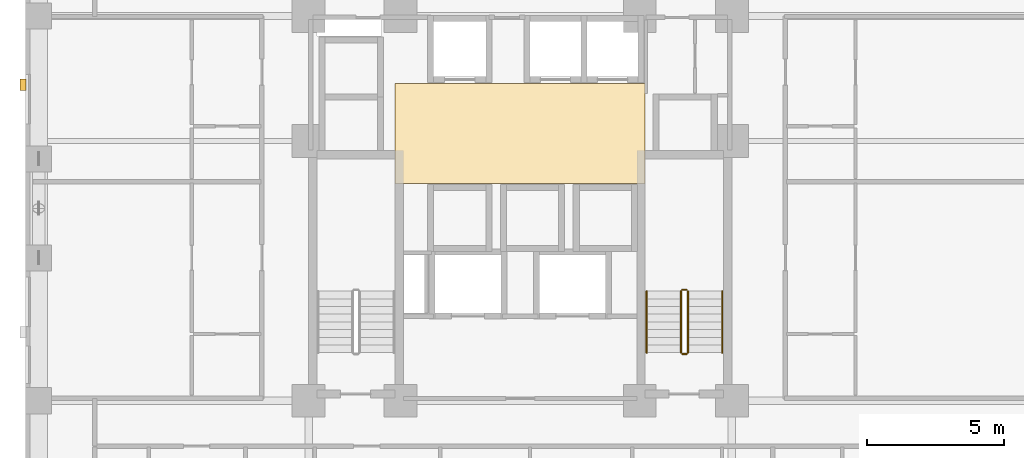
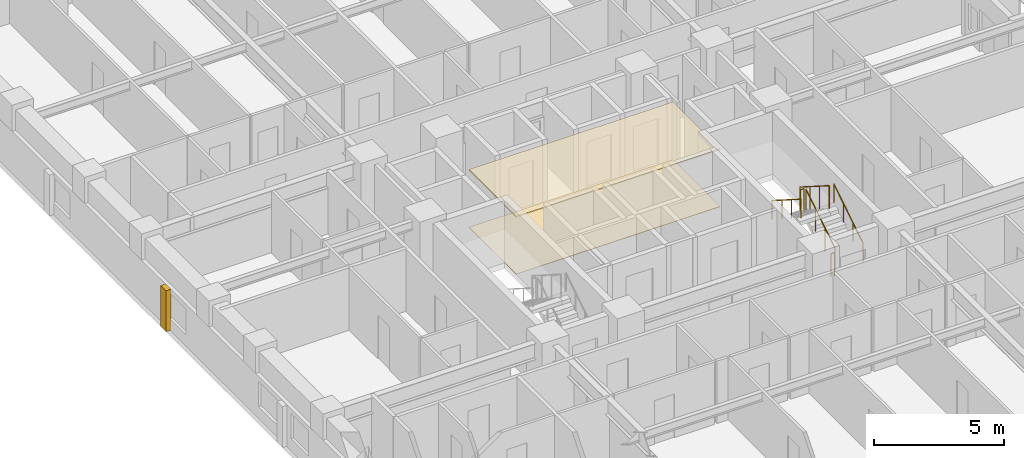
# One storey, part 12 of 13: 6 railings, 3 coverings.
"""IFC4 building model written with IfcOpenShell, lengths in metres."""

from ifc_helpers import new_model, si_unit, derived_unit, direction, frame, origin, origin_2d, place, context, subcontext, project, spatial, polyline, rectangle, circle, outline, extrude, material, layer, layer_set, type_object, element, save


model = new_model("IFC4")

# Units and contexts
model_context = context("Model", 3, precision=1e-05, world=origin(), true_north=direction((0.0, 1.0)))
body_context = subcontext(model_context, "Body", "Model", "MODEL_VIEW")
ifc_project = project(units=[si_unit("LENGTHUNIT", "METRE"), si_unit("AREAUNIT", "SQUARE_METRE"), si_unit("VOLUMEUNIT", "CUBIC_METRE"), si_unit("PLANEANGLEUNIT", "RADIAN"), si_unit("MASSUNIT", "GRAM", prefix="KILO"), derived_unit("THERMALTRANSMITTANCEUNIT", [(si_unit("MASSUNIT", "GRAM", prefix="KILO"), 1), (si_unit("TIMEUNIT", "SECOND"), -3), (si_unit("THERMODYNAMICTEMPERATUREUNIT", "KELVIN"), -1)])], contexts=[model_context])

# Site, building, storey
site_placement = place(None, origin())
site = spatial("IfcSite", under=ifc_project, at=site_placement, CompositionType="ELEMENT")
building_placement = place(site_placement, origin())
building = spatial("IfcBuilding", under=site, at=building_placement, Name="Korrvale Station Residences", CompositionType="ELEMENT")
storey_placement = place(building_placement, frame((0.0, 0.0, 35.39990234375)))
storey = spatial("IfcBuildingStorey", under=building, at=storey_placement, Name="L08", CompositionType="ELEMENT", Elevation=35.39990234375)

# Coverings
ifc_material_1 = material(Name="Perforated acoustic mineral-fibre suspended ceiling", Category="gypsum")
ifc_layer_1 = layer(ifc_material_1, 0.050048828125, Name="Perforated acoustic mineral-fibre suspended ceiling")
ifc_layer_set_1 = layer_set([ifc_layer_1], Name="Perforated acoustic mineral-fibre suspended ceiling")
covering_type_1 = type_object("IfcCoveringType", Name="COV-CLG-AC60", PredefinedType="CEILING", material=ifc_layer_set_1)
covering_1_placement = place(storey_placement, frame((0.0, 0.0, 2.690185546875)))
element("IfcCovering", 1, at=covering_1_placement, inside=storey, type_object=covering_type_1, Name="L08 Elevator Lobby Acoustic Ceiling", PredefinedType="CEILING", context=body_context, shape_type="SweptSolid", body=[
    extrude(outline(polyline([(20.949951171875, 22.89990234375), (30.050048828125, 22.89990234375), (30.050048828125, 26.550048828125), (20.949951171875, 26.550048828125), (20.949951171875, 22.89990234375)])), origin(), (0.0, 0.0, 1.0), 0.0498046875),
])
ifc_material_2 = material(Name="Polished quartz-terrazzo lobby flooring", Category="masonry")
ifc_layer_2 = layer(ifc_material_2, 0.02001953125, Name="Polished quartz-terrazzo lobby flooring")
ifc_layer_set_2 = layer_set([ifc_layer_2], Name="Polished quartz-terrazzo lobby flooring")
covering_type_2 = type_object("IfcCoveringType", Name="COV-FLR-TER20", PredefinedType="FLOORING", material=ifc_layer_set_2)
covering_2_placement = place(storey_placement, origin())
element("IfcCovering", 2, at=covering_2_placement, inside=storey, type_object=covering_type_2, Name="L08 Elevator Lobby Terrazzo Flooring", PredefinedType="FLOORING", context=body_context, shape_type="SweptSolid", body=[
    extrude(outline(polyline([(20.949951171875, 22.89990234375), (30.050048828125, 22.89990234375), (30.050048828125, 26.550048828125), (20.949951171875, 26.550048828125), (20.949951171875, 22.89990234375)])), origin(), (0.0, 0.0, 1.0), 0.02001953125),
])
ifc_material_3 = material(Name="Architectural precast concrete C45/55", Category="concrete")
ifc_layer_3 = layer(ifc_material_3, 0.219970703125, Name="Architectural precast concrete C45/55")
ifc_layer_set_3 = layer_set([ifc_layer_3], Name="Architectural precast concrete C45/55")
covering_type_3 = type_object("IfcCoveringType", Name="COV-PIER-400", PredefinedType="CLADDING", material=ifc_layer_set_3)
covering_3_placement = place(storey_placement, frame((7.409912109375, 26.5, 0.02490234375), z_axis=(0.0, 0.0, 1.0), x_axis=(0.0, 1.0, 0.0)))
element("IfcCovering", 3, at=covering_3_placement, inside=storey, type_object=covering_type_3, Name="L08 Architectural Precast Facade Pier 14", PredefinedType="CLADDING", context=body_context, shape_type="SweptSolid", body=[
    extrude(rectangle(XDim=0.419921875, YDim=0.219970703125, at=origin_2d()), origin(), (0.0, 0.0, 1.0), 1.925048828125),
])

# Railings
ifc_material_4 = material(Name="Brushed stainless-steel continuous stair handrail", Category="steel")
railing_type_1 = type_object("IfcRailingType", Name="RLG-SHND-900", PredefinedType="HANDRAIL", material=ifc_material_4)
railing_1_placement = place(storey_placement, frame((32.85009765625, 16.75, 0.177978515625)))
element("IfcRailing", 4, at=railing_1_placement, inside=storey, type_object=railing_type_1, Name="L08 ST-2 stair handrail 1", PredefinedType="HANDRAIL", context=body_context, shape_type="SweptSolid", body=[
    extrude(circle(Radius=0.02392578125, at=origin_2d()), frame((0.0, 0.0, 0.8759765625), z_axis=(0.0, 0.8442293374, 0.53598211339), x_axis=(-1.0, 0.0, 0.0)), (0.0, 0.0, 1.0), 2.6533203125),
    extrude(circle(Radius=0.02099609375, at=origin_2d()), origin(), (0.0, 0.0, 1.0), 0.851806640625),
    extrude(circle(Radius=0.02099609375, at=origin_2d()), frame((0.0, 0.74658203125, 0.47412109375)), (0.0, 0.0, 1.0), 0.851806640625),
    extrude(circle(Radius=0.02099609375, at=origin_2d()), frame((0.0, 1.493408203125, 0.947998046875)), (0.0, 0.0, 1.0), 0.851806640625),
    extrude(circle(Radius=0.02099609375, at=origin_2d()), frame((0.0, 2.239990234375, 1.422119140625)), (0.0, 0.0, 1.0), 0.851806640625),
])
railing_2_placement = place(storey_placement, frame((30.10009765625, 18.989990234375, 1.77783203125)))
element("IfcRailing", 5, at=railing_2_placement, inside=storey, type_object=railing_type_1, Name="L08 ST-2 stair handrail 2", PredefinedType="HANDRAIL", context=body_context, shape_type="SweptSolid", body=[
    extrude(circle(Radius=0.02392578125, at=origin_2d()), frame((0.0, 0.0, 0.8759765625), z_axis=(0.0, -0.84418770128, 0.536047689118), x_axis=(1.0, 0.0, 0.0)), (0.0, 0.0, 1.0), 2.6533203125),
    extrude(circle(Radius=0.02099609375, at=origin_2d()), origin(), (0.0, 0.0, 1.0), 0.851806640625),
    extrude(circle(Radius=0.02099609375, at=origin_2d()), frame((0.0, -0.74658203125, 0.47412109375)), (0.0, 0.0, 1.0), 0.851806640625),
    extrude(circle(Radius=0.02099609375, at=origin_2d()), frame((0.0, -1.493408203125, 0.9482421875)), (0.0, 0.0, 1.0), 0.851806640625),
    extrude(circle(Radius=0.02099609375, at=origin_2d()), frame((0.0, -2.239990234375, 1.42236328125)), (0.0, 0.0, 1.0), 0.851806640625),
])
ifc_material_5 = material(Name="Galvanised painted tubular steel stair guard", Category="steel")
railing_type_2 = type_object("IfcRailingType", Name="RLG-STR-1100", PredefinedType="GUARDRAIL", material=ifc_material_5)
railing_3_placement = place(storey_placement, frame((31.60009765625, 16.75, 0.177978515625)))
element("IfcRailing", 6, at=railing_3_placement, inside=storey, type_object=railing_type_2, Name="L08 ST-2 stair guard 1", PredefinedType="GUARDRAIL", context=body_context, shape_type="SweptSolid", body=[
    extrude(circle(Radius=0.02392578125, at=origin_2d()), frame((0.0, 0.0, 1.076171875), z_axis=(0.0, 0.8442293374, 0.53598211339), x_axis=(-1.0, 0.0, 0.0)), (0.0, 0.0, 1.0), 2.6533203125),
    extrude(circle(Radius=0.02099609375, at=origin_2d()), origin(), (0.0, 0.0, 1.0), 1.052001953125),
    extrude(circle(Radius=0.02099609375, at=origin_2d()), frame((0.0, 0.74658203125, 0.47412109375)), (0.0, 0.0, 1.0), 1.052001953125),
    extrude(circle(Radius=0.02099609375, at=origin_2d()), frame((0.0, 1.493408203125, 0.947998046875)), (0.0, 0.0, 1.0), 1.052001953125),
    extrude(circle(Radius=0.02099609375, at=origin_2d()), frame((0.0, 2.239990234375, 1.422119140625)), (0.0, 0.0, 1.0), 1.052001953125),
])
railing_4_placement = place(storey_placement, frame((31.550048828125, 19.0400390625, 1.60009765625)))
element("IfcRailing", 7, at=railing_4_placement, inside=storey, type_object=railing_type_2, Name="L08 ST-2 stair guard 2", PredefinedType="GUARDRAIL", context=body_context, shape_type="SweptSolid", body=[
    extrude(circle(Radius=0.02392578125, at=origin_2d()), frame((0.0, 0.0, 1.076171875), z_axis=(-1.0, 0.0, 0.0), x_axis=(0.0, -1.0, 0.0)), (0.0, 0.0, 1.0), 0.150146484375),
    extrude(circle(Radius=0.02099609375, at=origin_2d()), origin(), (0.0, 0.0, 1.0), 1.052001953125),
    extrude(circle(Radius=0.02099609375, at=origin_2d()), frame((-0.150146484375, 0.0, 0.0)), (0.0, 0.0, 1.0), 1.052001953125),
])
railing_5_placement = place(storey_placement, frame((31.35009765625, 18.989990234375, 1.77783203125)))
element("IfcRailing", 8, at=railing_5_placement, inside=storey, type_object=railing_type_2, Name="L08 ST-2 stair guard 3", PredefinedType="GUARDRAIL", context=body_context, shape_type="SweptSolid", body=[
    extrude(circle(Radius=0.02392578125, at=origin_2d()), frame((0.0, 0.0, 1.076171875), z_axis=(0.0, -0.84418770128, 0.536047689118), x_axis=(1.0, 0.0, 0.0)), (0.0, 0.0, 1.0), 2.6533203125),
    extrude(circle(Radius=0.02099609375, at=origin_2d()), origin(), (0.0, 0.0, 1.0), 1.052001953125),
    extrude(circle(Radius=0.02099609375, at=origin_2d()), frame((0.0, -0.74658203125, 0.47412109375)), (0.0, 0.0, 1.0), 1.052001953125),
    extrude(circle(Radius=0.02099609375, at=origin_2d()), frame((0.0, -1.493408203125, 0.9482421875)), (0.0, 0.0, 1.0), 1.052001953125),
    extrude(circle(Radius=0.02099609375, at=origin_2d()), frame((0.0, -2.239990234375, 1.42236328125)), (0.0, 0.0, 1.0), 1.052001953125),
])
railing_6_placement = place(storey_placement, frame((31.550048828125, 16.699951171875, 0.0)))
element("IfcRailing", 9, at=railing_6_placement, inside=storey, type_object=railing_type_2, Name="L08 ST-2 stair guard 4", PredefinedType="GUARDRAIL", context=body_context, shape_type="SweptSolid", body=[
    extrude(circle(Radius=0.02392578125, at=origin_2d()), frame((0.0, 0.0, 1.076171875), z_axis=(-1.0, 0.0, 0.0), x_axis=(0.0, -1.0, 0.0)), (0.0, 0.0, 1.0), 0.150146484375),
    extrude(circle(Radius=0.02099609375, at=origin_2d()), origin(), (0.0, 0.0, 1.0), 1.052001953125),
    extrude(circle(Radius=0.02099609375, at=origin_2d()), frame((-0.150146484375, 0.0, 0.0)), (0.0, 0.0, 1.0), 1.052001953125),
])

save(model, "model.ifc")
